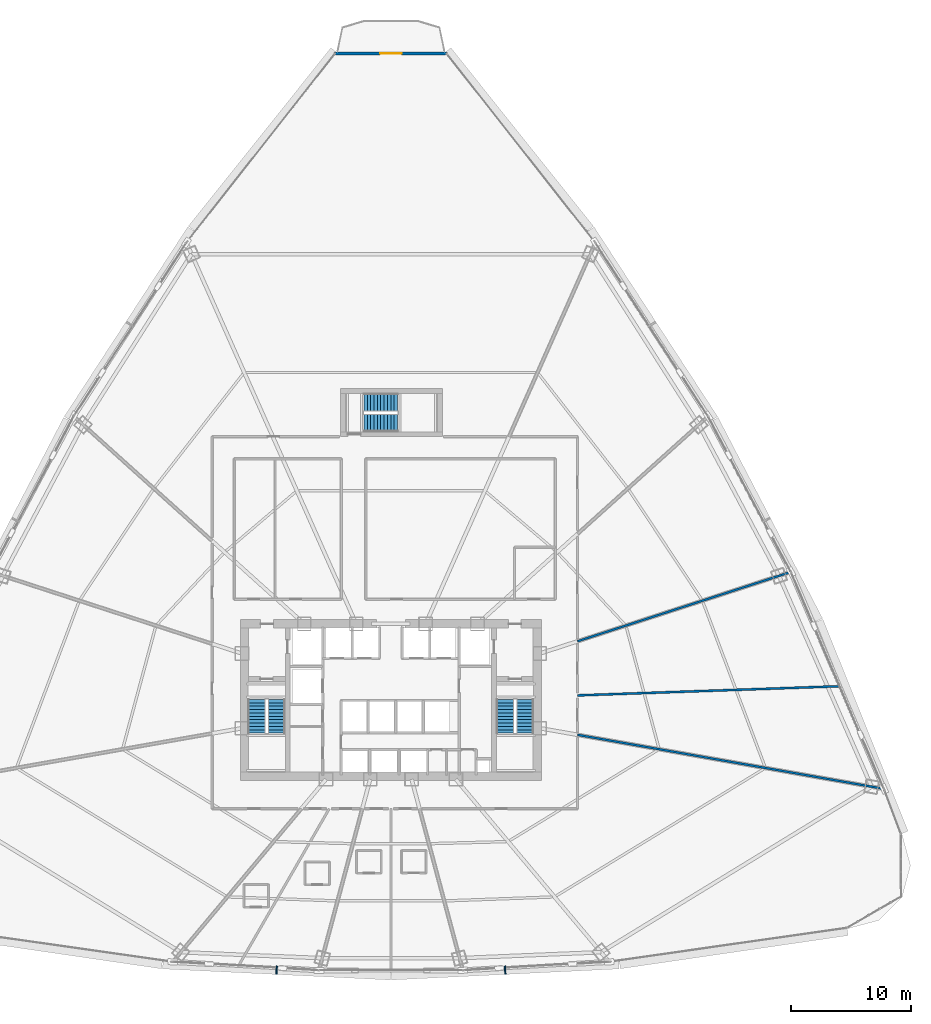
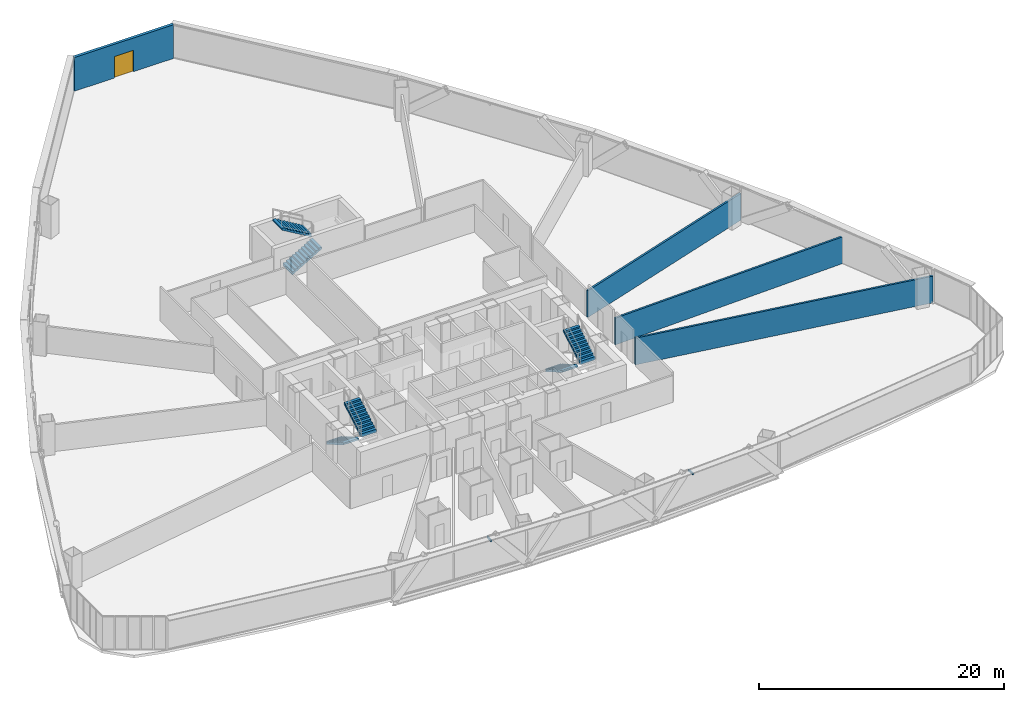
# One storey, part 36 of 41: 6 stair flights, 4 walls, 2 discrete accessories, 1 door, 1 opening, 3 elements without a shape of their own.
"""IFC4 building model written with IfcOpenShell, lengths in metres."""

from ifc_helpers import new_model, si_unit, direction, frame, frame_2d, origin, origin_with_axes, origin_2d, place, context, subcontext, project, spatial, polyline, rectangle, outline, extrude, source, transform, mapped, material, layer, layer_set, type_object, element, fill, aggregate, save


model = new_model("IFC4")

# Units and contexts
model_context = context("Model", 3, precision=1e-05, world=origin(), true_north=direction((0.0, 1.0)))
body_context = subcontext(model_context, "Body", "Model", "MODEL_VIEW")
ifc_project = project(units=[si_unit("LENGTHUNIT", "METRE"), si_unit("AREAUNIT", "SQUARE_METRE"), si_unit("VOLUMEUNIT", "CUBIC_METRE"), si_unit("PLANEANGLEUNIT", "RADIAN"), si_unit("MASSUNIT", "GRAM", prefix="KILO"), si_unit("THERMODYNAMICTEMPERATUREUNIT", "KELVIN"), si_unit("POWERUNIT", "WATT")], contexts=[model_context])

# Site, building, storey
site_placement = place(None, origin())
site = spatial("IfcSite", under=ifc_project, at=site_placement, CompositionType="ELEMENT")
building_placement = place(site_placement, origin())
building = spatial("IfcBuilding", under=site, at=building_placement, Name="Yunzhuo Pagoda Commons", CompositionType="ELEMENT")
storey_placement = place(building_placement, frame((0.0, 0.0, 63.070068359375)))
storey = spatial("IfcBuildingStorey", under=building, at=storey_placement, Name="L16", CompositionType="ELEMENT", Elevation=63.070068359375)

# Wall, opening, door
ifc_material_1 = material(Name="Precast concrete C40", Category="concrete")
ifc_layer_1 = layer(ifc_material_1, 0.260009765625)
ifc_layer_set_1 = layer_set([ifc_layer_1], Name="Precast concrete C40")
wall_type_1 = type_object("IfcWallType", Name="W-BAL1 Corner Balcony Threshold Wall 260", PredefinedType="STANDARD", material=ifc_layer_set_1)
wall_1_placement = place(storey_placement, frame((52.69287109375, 87.735107421875, 0.0), z_axis=(0.0, 0.0, 1.0), x_axis=(-1.0, 0.0, 0.0)))
wall_1 = element("IfcWall", 1, at=wall_1_placement, inside=storey, type_object=wall_type_1, Name="L16 corner balcony wall V3", PredefinedType="STANDARD", context=body_context, shape_type="SweptSolid", body=[
    extrude(rectangle(XDim=9.3857421875, YDim=0.260009765625, at=frame_2d((4.69287109375, 0.0))), origin(), (0.0, 0.0, 1.0), 3.369873046875),
])
opening_placement = place(wall_1_placement, frame((3.79296875, 0.0, 0.0)))
opening = element("IfcOpeningElement", 2, at=opening_placement, cuts=wall_1, Name="Opening D-BAL1", PredefinedType="OPENING", context=body_context, shape_type="SweptSolid", body=[
    extrude(rectangle(XDim=1.800048828125, YDim=2.14990234375, at=frame_2d((0.89990234375, 1.074951171875))), frame((0.0, 0.14013671875, 0.0), z_axis=(0.0, -1.0, 0.0), x_axis=(1.0, 0.0, 0.0)), (0.0, 0.0, 1.0), 0.280029296875),
])
ifc_material_2 = material(Name="Anodized aluminium frame and tempered glazed leaf", Category="aluminium")
door_type = type_object("IfcDoorType", Name="D-BAL1 Corner Balcony Sliding Glazed Door 1800x2150", OperationType="DOUBLE_DOOR_SLIDING", PredefinedType="DOOR", material=ifc_material_2)
shared_shape_1 = source(origin(), body_context, "Body", "SweptSolid", [
    extrude(rectangle(XDim=1.800048828125, YDim=2.14990234375, at=frame_2d((0.89990234375, 1.074951171875))), frame((0.0, 0.02490234375, 0.0), z_axis=(0.0, -1.0, 0.0), x_axis=(1.0, 0.0, 0.0)), (0.0, 0.0, 1.0), 0.050048828125),
])
door_placement = place(opening_placement, origin_with_axes())
door = element("IfcDoor", 3, at=door_placement, inside=storey, type_object=door_type, Name="L16 corner balcony sliding door V3", OperationType="DOUBLE_DOOR_SLIDING", OverallHeight=2.14990234375, OverallWidth=1.800048828125, PredefinedType="DOOR", context=body_context, shape_type="MappedRepresentation", body=[
    mapped(shared_shape_1, transform((0.0, 0.0, 0.0), scale=1.0)),
])
fill(opening, door)

# Walls
ifc_material_3 = material(Name="Gypsum plasterboard on acoustic stud")
ifc_layer_2 = layer(ifc_material_3, 0.179931640625)
ifc_layer_set_2 = layer_set([ifc_layer_2], Name="Gypsum plasterboard on acoustic stud")
wall_type_2 = type_object("IfcWallType", Name="W-PRT2 Acoustic Unit Demising Wall 180", PredefinedType="PARTITIONING", material=ifc_layer_set_2)
wall_2_placement = place(storey_placement, frame((63.550048828125, 34.242919921875, 0.0), z_axis=(0.0, 0.0, 1.0), x_axis=(0.999390701976, 0.034903077271, 0.0)))
element("IfcWall", 4, at=wall_2_placement, inside=storey, type_object=wall_type_2, Name="L16 interior wall IW-L16-RAD01", PredefinedType="PARTITIONING", context=body_context, shape_type="SweptSolid", body=[
    extrude(rectangle(XDim=21.8798828125, YDim=0.179931640625, at=frame_2d((10.93994140625, 0.0))), origin(), (0.0, 0.0, 1.0), 2.669921875),
])
wall_3_placement = place(storey_placement, frame((63.550048828125, 38.75244140625, 0.0), z_axis=(0.0, 0.0, 1.0), x_axis=(0.951053160417, 0.309027322514, 0.0)))
element("IfcWall", 5, at=wall_3_placement, inside=storey, type_object=wall_type_2, Name="L16 interior wall IW-L16-RAD02", PredefinedType="PARTITIONING", context=body_context, shape_type="SweptSolid", body=[
    extrude(rectangle(XDim=18.69921875, YDim=0.179931640625, at=frame_2d((9.349609375, 0.0))), origin(), (0.0, 0.0, 1.0), 2.669921875),
])
wall_4_placement = place(storey_placement, frame((63.550048828125, 30.9580078125, 0.0), z_axis=(0.0, 0.0, 1.0), x_axis=(0.984809239356, -0.173639747982, 0.0)))
element("IfcWall", 6, at=wall_4_placement, inside=storey, type_object=wall_type_2, Name="L16 interior wall IW-L16-RAD13", PredefinedType="PARTITIONING", context=body_context, shape_type="SweptSolid", body=[
    extrude(rectangle(XDim=25.925537109375, YDim=0.179931640625, at=frame_2d((12.962890625, 0.0))), origin(), (0.0, 0.0, 1.0), 2.669921875),
])

# Stair, stair flights
ifc_material_4 = material(Name="Concrete C40", Category="concrete")
stair_type_1 = type_object("IfcStairType", Name="ST-C1 Core Smokeproof Stair ST1", PredefinedType="HALF_TURN_STAIR", material=ifc_material_4)
stair_1_placement = place(storey_placement, origin())
stair_1 = element("IfcStair", 7, at=stair_1_placement, inside=storey, type_object=stair_type_1, Name="L16 Core smokeproof stair ST1", PredefinedType="HALF_TURN_STAIR")
stair_flight_type_1 = type_object("IfcStairFlightType", Name="STF-C1 Core Stair Flight 1450", PredefinedType="STRAIGHT", material=ifc_material_4)
shared_shape_2 = source(origin(), body_context, "Body", "SweptSolid", [
    extrude(outline(polyline([(0.0, -0.14990234375), (0.0, 0.0), (0.0, 0.1650390625), (0.280029296875, 0.1650390625), (0.280029296875, 0.330078125), (0.56005859375, 0.330078125), (0.56005859375, 0.4951171875), (0.840087890625, 0.4951171875), (0.840087890625, 0.659912109375), (1.1201171875, 0.659912109375), (1.1201171875, 0.824951171875), (1.39990234375, 0.824951171875), (1.39990234375, 0.989990234375), (1.679931640625, 0.989990234375), (1.679931640625, 1.155029296875), (1.9599609375, 1.155029296875), (1.9599609375, 1.320068359375), (2.239990234375, 1.320068359375), (2.239990234375, 1.485107421875), (2.52001953125, 1.485107421875), (2.52001953125, 1.64990234375), (2.800048828125, 1.64990234375), (2.800048828125, 1.81494140625), (2.800048828125, 1.47607421875), (0.295166015625, 0.0), (0.050048828125, -0.14990234375), (0.0, -0.14990234375)])), frame((0.0, 0.72509765625, 0.0), z_axis=(0.0, -1.0, 0.0), x_axis=(1.0, 0.0, 0.0)), (0.0, 0.0, 1.0), 1.449951171875),
])
stair_flight_1_placement = place(storey_placement, frame((36.824951171875, 33.89990234375, 0.0), z_axis=(0.0, 0.0, 1.0), x_axis=(0.0, -1.0, 0.0)))
stair_flight_1 = element("IfcStairFlight", 8, at=stair_flight_1_placement, type_object=stair_flight_type_1, Name="ST1 flight 1", NumberOfRisers=11, NumberOfTreads=10, PredefinedType="STRAIGHT", RiserHeight=0.165, TreadLength=0.28, context=body_context, shape_type="MappedRepresentation", body=[
    mapped(shared_shape_2, transform((0.0, 0.0, 0.0), scale=1.0)),
])
stair_flight_2_placement = place(storey_placement, frame((38.47509765625, 31.10009765625, 1.81494140625), z_axis=(0.0, 0.0, 1.0), x_axis=(0.0, 1.0, 0.0)))
stair_flight_2 = element("IfcStairFlight", 9, at=stair_flight_2_placement, type_object=stair_flight_type_1, Name="ST1 flight 2", NumberOfRisers=11, NumberOfTreads=10, PredefinedType="STRAIGHT", RiserHeight=0.165, TreadLength=0.28, context=body_context, shape_type="MappedRepresentation", body=[
    mapped(shared_shape_2, transform((0.0, 0.0, 0.0), scale=1.0)),
])
aggregate(stair_1, [stair_flight_1, stair_flight_2])

stair_type_2 = type_object("IfcStairType", Name="ST-C2 Core Smokeproof Stair ST2", PredefinedType="HALF_TURN_STAIR", material=ifc_material_4)
stair_2_placement = place(storey_placement, origin())
stair_2 = element("IfcStair", 10, at=stair_2_placement, inside=storey, type_object=stair_type_2, Name="L16 Core smokeproof stair ST2", PredefinedType="HALF_TURN_STAIR")
stair_flight_type_2 = type_object("IfcStairFlightType", Name="STF-C2 Core Stair Flight 1460", PredefinedType="STRAIGHT", material=ifc_material_4)
stair_flight_3_placement = place(storey_placement, frame((57.52490234375, 33.89990234375, 0.0), z_axis=(0.0, 0.0, 1.0), x_axis=(0.0, -1.0, 0.0)))
stair_flight_3 = element("IfcStairFlight", 11, at=stair_flight_3_placement, type_object=stair_flight_type_2, Name="ST2 flight 1", NumberOfRisers=11, NumberOfTreads=10, PredefinedType="STRAIGHT", RiserHeight=0.165, TreadLength=0.28, context=body_context, shape_type="MappedRepresentation", body=[
    mapped(shared_shape_2, transform((0.0, 0.0, 0.0), scale=1.0)),
])
stair_flight_4_placement = place(storey_placement, frame((59.175048828125, 31.10009765625, 1.81494140625), z_axis=(0.0, 0.0, 1.0), x_axis=(0.0, 1.0, 0.0)))
stair_flight_4 = element("IfcStairFlight", 12, at=stair_flight_4_placement, type_object=stair_flight_type_2, Name="ST2 flight 2", NumberOfRisers=11, NumberOfTreads=10, PredefinedType="STRAIGHT", RiserHeight=0.165, TreadLength=0.28, context=body_context, shape_type="MappedRepresentation", body=[
    mapped(shared_shape_2, transform((0.0, 0.0, 0.0), scale=1.0)),
])
aggregate(stair_2, [stair_flight_3, stair_flight_4])

stair_type_3 = type_object("IfcStairType", Name="ST-C3 North Tower Smokeproof Stair ST3", PredefinedType="HALF_TURN_STAIR", material=ifc_material_4)
stair_3_placement = place(storey_placement, origin())
stair_3 = element("IfcStair", 13, at=stair_3_placement, inside=storey, type_object=stair_type_3, Name="L16 North tower smokeproof stair ST3", PredefinedType="HALF_TURN_STAIR")
stair_flight_type_3 = type_object("IfcStairFlightType", Name="STF-C3 North Stair Flight 1500", PredefinedType="STRAIGHT", material=ifc_material_4)
shared_shape_3 = source(origin(), body_context, "Body", "SweptSolid", [
    extrude(outline(polyline([(0.0, -0.14990234375), (0.0, 0.0), (0.0, 0.1650390625), (0.280029296875, 0.1650390625), (0.280029296875, 0.330078125), (0.56005859375, 0.330078125), (0.56005859375, 0.4951171875), (0.840087890625, 0.4951171875), (0.840087890625, 0.659912109375), (1.1201171875, 0.659912109375), (1.1201171875, 0.824951171875), (1.39990234375, 0.824951171875), (1.39990234375, 0.989990234375), (1.679931640625, 0.989990234375), (1.679931640625, 1.155029296875), (1.9599609375, 1.155029296875), (1.9599609375, 1.320068359375), (2.239990234375, 1.320068359375), (2.239990234375, 1.485107421875), (2.52001953125, 1.485107421875), (2.52001953125, 1.64990234375), (2.800048828125, 1.64990234375), (2.800048828125, 1.81494140625), (2.800048828125, 1.47607421875), (0.295166015625, 0.0), (0.050048828125, -0.14990234375), (0.0, -0.14990234375)])), frame((0.0, 0.75, 0.0), z_axis=(0.0, -1.0, 0.0), x_axis=(1.0, 0.0, 0.0)), (0.0, 0.0, 1.0), 1.5),
])
stair_flight_5_placement = place(storey_placement, frame((45.75, 56.949951171875, 0.0), z_axis=(0.0, 0.0, 1.0), x_axis=(1.0, 0.0, 0.0)))
stair_flight_5 = element("IfcStairFlight", 14, at=stair_flight_5_placement, type_object=stair_flight_type_3, Name="ST3 flight 1", NumberOfRisers=11, NumberOfTreads=10, PredefinedType="STRAIGHT", RiserHeight=0.165, TreadLength=0.28, context=body_context, shape_type="MappedRepresentation", body=[
    mapped(shared_shape_3, transform((0.0, 0.0, 0.0), scale=1.0)),
])
stair_flight_6_placement = place(storey_placement, frame((48.550048828125, 58.64990234375, 1.81494140625), z_axis=(0.0, 0.0, 1.0), x_axis=(-1.0, 0.0, 0.0)))
stair_flight_6 = element("IfcStairFlight", 15, at=stair_flight_6_placement, type_object=stair_flight_type_3, Name="ST3 flight 2", NumberOfRisers=11, NumberOfTreads=10, PredefinedType="STRAIGHT", RiserHeight=0.165, TreadLength=0.28, context=body_context, shape_type="MappedRepresentation", body=[
    mapped(shared_shape_3, transform((0.0, 0.0, 0.0), scale=1.0)),
])
aggregate(stair_3, [stair_flight_5, stair_flight_6])

# Discrete accessories
ifc_material_5 = material(Name="Anodized aluminium 6063-T6", Category="aluminium")
discrete_accessory_type = type_object("IfcDiscreteAccessoryType", Name="BK-SUN1 Sunshade Outrigger Bracket", PredefinedType="BRACKET", material=ifc_material_5)
shared_shape_4 = source(origin(), body_context, "Body", "SweptSolid", [
    extrude(rectangle(XDim=0.1201171875, YDim=0.679931640625, at=origin_2d()), origin(), (0.0, 0.0, 1.0), 0.179931640625),
])
for number, where, z_axis, x_axis, name in (
    (16, (38.481689453125, 11.357666015625, 3.16015625), (0.0, 0.0, 1.0), (0.998818043775, -0.04860571396, 0.0), "L16 sunshade outrigger bracket F1.2"),
    (17, (57.518310546875, 11.357666015625, 3.16015625), (0.0, 0.0, 1.0), (0.998818043775, 0.04860571396, 0.0), "L16 sunshade outrigger bracket F1.3"),
):
    element("IfcDiscreteAccessory", number, at=place(storey_placement, frame(where, z_axis=z_axis, x_axis=x_axis)), inside=storey, type_object=discrete_accessory_type, Name=name, PredefinedType="BRACKET", context=body_context, shape_type="MappedRepresentation", body=[
        mapped(shared_shape_4, transform((0.0, 0.0, 0.0), scale=1.0)),
    ])

save(model, "model.ifc")
